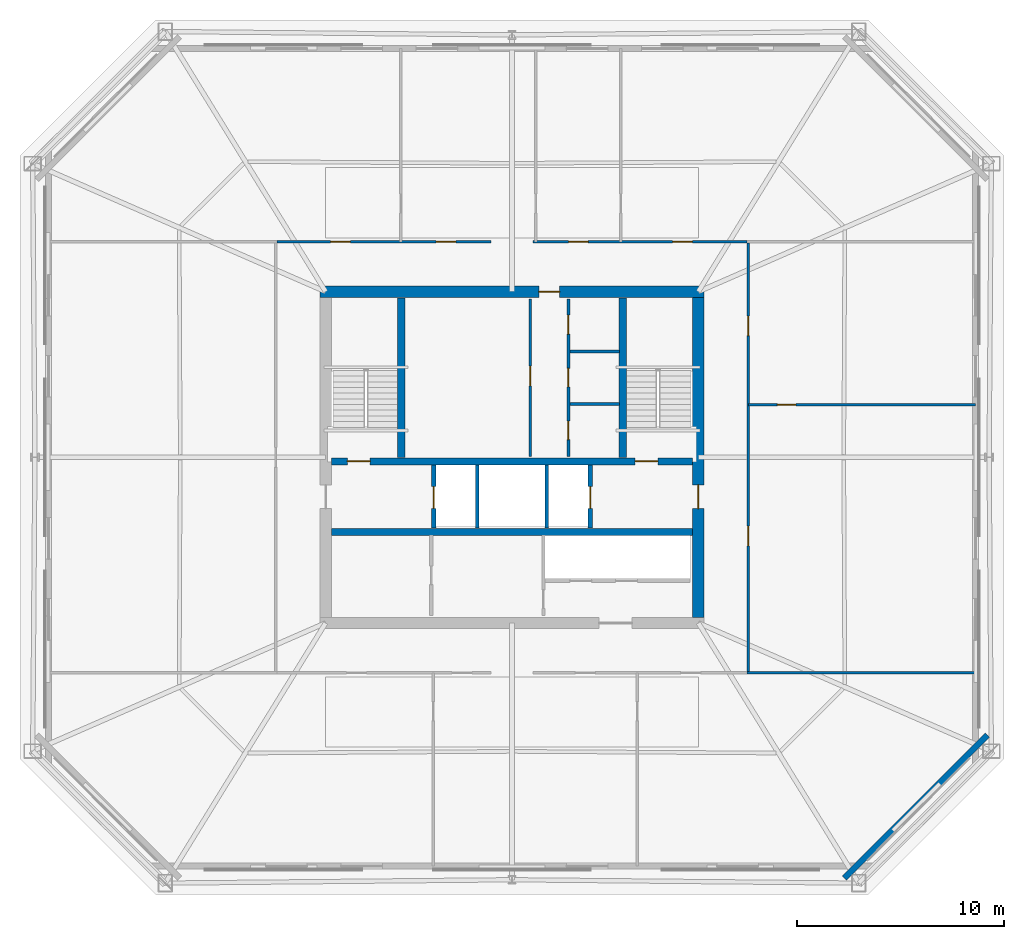
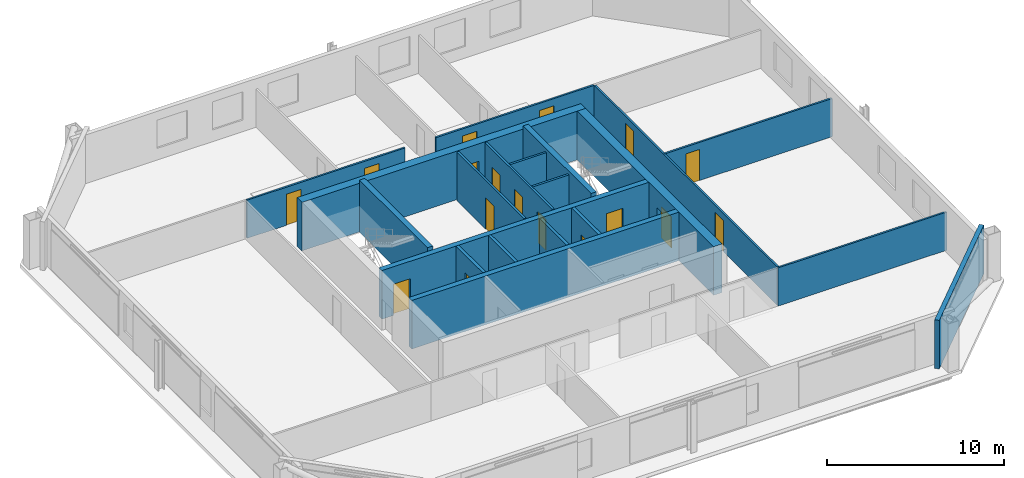
# One storey, part 3 of 6: 20 walls, 17 doors, 17 openings.
"""IFC4 building model written with IfcOpenShell, lengths in metres."""

import ifcopenshell
import ifcopenshell.guid

model = None  # the IFC model being written
_history = None  # IfcOwnerHistory: only IFC2X3 demands one
_inside = {}  # id of a spatial element -> (the spatial element, [elements in it])
_under = {}  # id of a project, library or spatial element -> (it, [spatial elements below it])
_declared = {}  # id of a project -> (the project, [libraries it declares])
_typed = {}  # id of a type object -> (the type object, [elements of that type])
_made_of = {}  # id of a material, layer set ... -> (it, [elements and type objects made of it])


def new_model(schema):
    """Start an empty IFC model of exactly this schema.

    Asked for "IFC4X3", IfcOpenShell would pick the latest addendum, in which some entities
    have other attributes; the version numbers below select the first issue.
    IFC2X3 requires an IfcOwnerHistory on every rooted entity: one is made here for all.
    """
    global model, _history
    if schema == "IFC4X3":
        model = ifcopenshell.file(schema_version=(4, 3, 0, 0))
    else:
        model = ifcopenshell.file(schema=schema)
    _inside.clear()
    _under.clear()
    _declared.clear()
    _typed.clear()
    _made_of.clear()
    _history = None
    if model.schema == "IFC2X3":
        org = make("IfcOrganization", Name="unknown")
        user = make(
            "IfcPersonAndOrganization",
            ThePerson=make("IfcPerson", FamilyName="unknown"),
            TheOrganization=org,
        )
        app = make(
            "IfcApplication",
            ApplicationDeveloper=org,
            Version="unknown",
            ApplicationFullName="unknown",
            ApplicationIdentifier="unknown",
        )
        _history = make(
            "IfcOwnerHistory",
            OwningUser=user,
            OwningApplication=app,
            ChangeAction="ADDED",
            CreationDate=0,
        )
    return model


def make(cls, **values):
    """One entity of the class cls with the attributes given. An attribute that is None is left unset."""
    return model.create_entity(
        cls, **{name: value for name, value in values.items() if value is not None}
    )


def rooted(cls, **values):
    """An entity with a GlobalId (a new one), such as an element, a storey or a relation."""
    return make(cls, GlobalId=ifcopenshell.guid.new(), OwnerHistory=_history, **values)


def si_unit(unit_type, name, prefix=None):
    """IfcSIUnit, for example si_unit("LENGTHUNIT", "METRE", prefix="MILLI")."""
    return make("IfcSIUnit", UnitType=unit_type, Prefix=prefix, Name=name)


def assignment(units):
    """IfcUnitAssignment: the units of a project."""
    return None if units is None else make("IfcUnitAssignment", Units=units)


def point(xyz):
    """IfcCartesianPoint."""
    return None if xyz is None else make("IfcCartesianPoint", Coordinates=xyz)


def direction(xyz):
    """IfcDirection."""
    return None if xyz is None else make("IfcDirection", DirectionRatios=xyz)


def frame(location, z_axis=None, x_axis=None):
    """IfcAxis2Placement3D, a coordinate frame: its origin and axes. An axis left out is left unset."""
    return make(
        "IfcAxis2Placement3D",
        Location=point(location),
        Axis=direction(z_axis),
        RefDirection=direction(x_axis),
    )


def frame_2d(location, x_axis=None):
    """IfcAxis2Placement2D, a coordinate frame in the plane: its origin and x axis."""
    return make(
        "IfcAxis2Placement2D", Location=point(location), RefDirection=direction(x_axis)
    )


def origin():
    """The frame at (0, 0, 0) with its axes left unset."""
    return frame((0.0, 0.0, 0.0))


def place(relative_to, where):
    """IfcLocalPlacement: puts the frame where relative to a parent placement (None: the world)."""
    return make(
        "IfcLocalPlacement", PlacementRelTo=relative_to, RelativePlacement=where
    )


def context(
    kind, dimensions, precision=None, world=None, true_north=None, identifier=None
):
    """IfcGeometricRepresentationContext, for example the 3D "Model" context."""
    return make(
        "IfcGeometricRepresentationContext",
        ContextIdentifier=identifier,
        ContextType=kind,
        CoordinateSpaceDimension=dimensions,
        Precision=precision,
        WorldCoordinateSystem=world,
        TrueNorth=true_north,
    )


def subcontext(parent, identifier, kind, view, scale=None):
    """IfcGeometricRepresentationSubContext, for example "Body" below "Model"."""
    return make(
        "IfcGeometricRepresentationSubContext",
        ContextIdentifier=identifier,
        ContextType=kind,
        ParentContext=parent,
        TargetScale=scale,
        TargetView=view,
    )


def project(units=None, contexts=None):
    """IfcProject with its units and contexts."""
    return rooted(
        "IfcProject",
        Name="project",
        RepresentationContexts=contexts,
        UnitsInContext=assignment(units),
    )


def spatial(cls, under=None, at=None, **own):
    """A site, building, storey or space (cls), placed at a placement, below another one or the project."""
    s = rooted(cls, ObjectPlacement=at, **own)
    if under is not None:
        _under.setdefault(under.id(), (under, []))[1].append(s)
    return s


def profile(cls, at=None, kind="AREA", **sizes):
    """A parametric profile (cls). Its sizes go by their IFC names, for example OverallWidth=200.0."""
    return make(cls, ProfileType=kind, Position=at, **sizes)


def rectangle(**sizes):
    """IfcRectangleProfileDef."""
    return profile("IfcRectangleProfileDef", **sizes)


def extrude(swept, where, along, depth):
    """IfcExtrudedAreaSolid: the profile swept, set in the frame where, extruded along a direction by depth."""
    return make(
        "IfcExtrudedAreaSolid",
        SweptArea=swept,
        Position=where,
        ExtrudedDirection=direction(along),
        Depth=depth,
    )


def shape(context_of_items, identifier, shape_type, items):
    """IfcShapeRepresentation: the items that make up one representation, for example the "Body"."""
    return make(
        "IfcShapeRepresentation",
        ContextOfItems=context_of_items,
        RepresentationIdentifier=identifier,
        RepresentationType=shape_type,
        Items=items,
    )


def material(Name=None, Category=None):
    """IfcMaterial."""
    return make("IfcMaterial", Name=Name, Category=Category)


def layer(
    of_material, thickness, ventilated=None, Name=None, Category=None, Priority=None
):
    """IfcMaterialLayer: one layer of a wall or slab, of a material (None: an air gap)."""
    return make(
        "IfcMaterialLayer",
        Material=of_material,
        LayerThickness=thickness,
        IsVentilated=ventilated,
        Name=Name,
        Category=Category,
        Priority=Priority,
    )


def layer_set(layers, Name=None):
    """IfcMaterialLayerSet."""
    return make("IfcMaterialLayerSet", MaterialLayers=layers, LayerSetName=Name)


def made_of(thing, what):
    """Note that an element or type object is made of a material, layer set ...; save() writes the relation."""
    if what is not None:
        _made_of.setdefault(what.id(), (what, []))[1].append(thing)
    return thing


def type_object(cls, material=None, **own):
    """A type object (cls), such as IfcWallType, which elements share."""
    return made_of(rooted(cls, **own), material)


def element(
    cls,
    number,
    at=None,
    inside=None,
    cuts=None,
    type_object=None,
    material=None,
    context=None,
    identifier="Body",
    shape_type=None,
    held_by="IfcProductDefinitionShape",
    body=None,
    shapes=None,
    **own,
):
    """One element of the class cls, such as IfcWall. Its Tag is "e" and its number.

    at: its placement. inside: the storey or other place that contains it. cuts: it is an
    opening in that element (IfcRelVoidsElement). A single representation is given by context,
    identifier, shape_type and body (its items); several are given by shapes. held_by: the class
    of the entity that holds the representations. save() writes the other relations.
    """
    e = rooted(cls, Tag="e%d" % number, ObjectPlacement=at, **own)
    if body is not None:
        shapes = [shape(context, identifier, shape_type, body)]
    if shapes is not None:
        e.Representation = make(held_by, Representations=shapes)
    if inside is not None:
        _inside.setdefault(inside.id(), (inside, []))[1].append(e)
    if cuts is not None:
        rooted(
            "IfcRelVoidsElement", RelatingBuildingElement=cuts, RelatedOpeningElement=e
        )
    if type_object is not None:
        _typed.setdefault(type_object.id(), (type_object, []))[1].append(e)
    return made_of(e, material)


def fill(opening, filler):
    """IfcRelFillsElement: the door or window that sits in an opening."""
    return rooted(
        "IfcRelFillsElement",
        RelatingOpeningElement=opening,
        RelatedBuildingElement=filler,
    )


def aggregate(whole, parts):
    """IfcRelAggregates: a whole, such as a stair, and the parts it consists of."""
    return rooted("IfcRelAggregates", RelatingObject=whole, RelatedObjects=parts)


def save(model, path):
    """Write the relations noted so far, then the file.

    IfcRelAggregates (storeys below a building ...), IfcRelContainedInSpatialStructure (elements
    in a storey), IfcRelDefinesByType, IfcRelAssociatesMaterial and IfcRelDeclares: one each for
    every whole, place, type object, material and project.
    """
    for whole, parts in _under.values():
        aggregate(whole, parts)
    for where, things in _inside.values():
        rooted(
            "IfcRelContainedInSpatialStructure",
            RelatedElements=things,
            RelatingStructure=where,
        )
    for kind, things in _typed.values():
        rooted("IfcRelDefinesByType", RelatedObjects=things, RelatingType=kind)
    for what, things in _made_of.values():
        rooted("IfcRelAssociatesMaterial", RelatedObjects=things, RelatingMaterial=what)
    for by, libraries in _declared.values():
        rooted("IfcRelDeclares", RelatingContext=by, RelatedDefinitions=libraries)
    model.write(path)


model = new_model("IFC4")

# Units and contexts
model_context = context("Model", 3, precision=1e-05, world=origin(), true_north=direction((0.0, 1.0)))
body_context = subcontext(model_context, "Body", "Model", "MODEL_VIEW")
ifc_project = project(units=[si_unit("LENGTHUNIT", "METRE"), si_unit("AREAUNIT", "SQUARE_METRE"), si_unit("VOLUMEUNIT", "CUBIC_METRE"), si_unit("PLANEANGLEUNIT", "RADIAN"), si_unit("MASSUNIT", "GRAM", prefix="KILO")], contexts=[model_context])

# Site, building, storey
site_placement = place(None, origin())
site = spatial("IfcSite", under=ifc_project, at=site_placement, CompositionType="ELEMENT")
building_placement = place(site_placement, origin())
building = spatial("IfcBuilding", under=site, at=building_placement, Name="Caelvoria Tower", CompositionType="ELEMENT")
storey_placement = place(building_placement, frame((0.0, 0.0, 180.60009765625)))
storey = spatial("IfcBuildingStorey", under=building, at=storey_placement, Name="L47", CompositionType="ELEMENT", Elevation=180.60009765625)

# Wall, openings, doors
ifc_material_1 = material(Name="Concrete C50/60", Category="concrete")
ifc_layer_1 = layer(ifc_material_1, 0.35009765625, Name="Concrete C50/60")
ifc_layer_set_1 = layer_set([ifc_layer_1], Name="Core Internal Shear Wall 350 - Concrete C50/60")
wall_type_1 = type_object("IfcWallType", Name="Core Internal Shear Wall 350", PredefinedType="SHEAR", material=ifc_layer_set_1)
wall_1_placement = place(storey_placement, frame((37.27490234375, 31.800048828125, 0.0), z_axis=(0.0, 0.0, 1.0), x_axis=(1.0, 0.0, 0.0)))
wall_1 = element("IfcWall", 1, at=wall_1_placement, inside=storey, type_object=wall_type_1, Name="Core Shear Wall L47 M1", PredefinedType="SHEAR", context=body_context, shape_type="SweptSolid", body=[
    extrude(rectangle(XDim=17.4501953125, YDim=0.35009765625, at=frame_2d((8.72509765625, 0.0))), origin(), (0.0, 0.0, 1.0), 3.35986328125),
])
opening_1_placement = place(wall_1_placement, frame((0.77490234375, 0.0, 0.0)))
opening_1 = element("IfcOpeningElement", 2, at=opening_1_placement, cuts=wall_1, Name="Opening ID-01", PredefinedType="OPENING", context=body_context, shape_type="SweptSolid", body=[
    extrude(rectangle(XDim=1.10009765625, YDim=2.14990234375, at=frame_2d((0.550048828125, 1.074951171875))), frame((0.0, 0.18505859375, 0.0), z_axis=(0.0, -1.0, 0.0), x_axis=(1.0, 0.0, 0.0)), (0.0, 0.0, 1.0), 0.3701171875),
])
opening_2_placement = place(wall_1_placement, frame((14.675048828125, 0.0, 0.0)))
opening_2 = element("IfcOpeningElement", 3, at=opening_2_placement, cuts=wall_1, Name="Opening ID-01", PredefinedType="OPENING", context=body_context, shape_type="SweptSolid", body=[
    extrude(rectangle(XDim=1.10009765625, YDim=2.14990234375, at=frame_2d((0.550048828125, 1.074951171875))), frame((0.0, 0.18505859375, 0.0), z_axis=(0.0, -1.0, 0.0), x_axis=(1.0, 0.0, 0.0)), (0.0, 0.0, 1.0), 0.3701171875),
])
ifc_material_2 = material(Name="Painted Hollow Steel Fire Door", Category="steel")
door_type_1 = type_object("IfcDoorType", Name="Fire Door FD90S 1100x2150", OperationType="NOTDEFINED", PredefinedType="DOOR", material=ifc_material_2)
door_1_placement = place(opening_1_placement, origin())
door_1 = element("IfcDoor", 4, at=door_1_placement, inside=storey, type_object=door_type_1, Name="Core Door DR-L47-ST1", OperationType="SINGLE_SWING_LEFT", OverallHeight=2.14990234375, OverallWidth=1.10009765625, PredefinedType="DOOR", context=body_context, shape_type="SweptSolid", body=[
    extrude(rectangle(XDim=1.10009765625, YDim=2.14990234375, at=frame_2d((0.550048828125, 1.074951171875))), frame((0.0, 0.02490234375, 0.0), z_axis=(0.0, -1.0, 0.0), x_axis=(1.0, 0.0, 0.0)), (0.0, 0.0, 1.0), 0.050048828125),
])
fill(opening_1, door_1)
door_2_placement = place(opening_2_placement, origin())
door_2 = element("IfcDoor", 5, at=door_2_placement, inside=storey, type_object=door_type_1, Name="Core Door DR-L47-ST2", OperationType="SINGLE_SWING_RIGHT", OverallHeight=2.14990234375, OverallWidth=1.10009765625, PredefinedType="DOOR", context=body_context, shape_type="SweptSolid", body=[
    extrude(rectangle(XDim=1.10009765625, YDim=2.14990234375, at=frame_2d((0.550048828125, 1.074951171875))), frame((0.0, 0.02490234375, 0.0), z_axis=(0.0, -1.0, 0.0), x_axis=(1.0, 0.0, 0.0)), (0.0, 0.0, 1.0), 0.050048828125),
])
fill(opening_2, door_2)

# Walls
wall_2_placement = place(storey_placement, frame((37.27490234375, 28.39990234375, 0.0), z_axis=(0.0, 0.0, 1.0), x_axis=(1.0, 0.0, 0.0)))
element("IfcWall", 6, at=wall_2_placement, inside=storey, type_object=wall_type_1, Name="Core Shear Wall L47 M2", PredefinedType="SHEAR", context=body_context, shape_type="SweptSolid", body=[
    extrude(rectangle(XDim=17.4501953125, YDim=0.35009765625, at=frame_2d((8.72509765625, 0.0))), origin(), (0.0, 0.0, 1.0), 3.35986328125),
])
for number, where, z_axis, x_axis, name in (
    (7, (40.64990234375, 32.0, 0.0), (0.0, 0.0, 1.0), (0.0, 1.0, 0.0), "Interior Partition IW-L47-ST1E"),
    (8, (51.35009765625, 32.0, 0.0), (0.0, 0.0, 1.0), (0.0, 1.0, 0.0), "Interior Partition IW-L47-ST2W"),
):
    element("IfcWall", number, at=place(storey_placement, frame(where, z_axis=z_axis, x_axis=x_axis)), inside=storey, type_object=wall_type_1, Name=name, PredefinedType="SHEAR", context=body_context, shape_type="SweptSolid", body=[
        extrude(rectangle(XDim=7.699951171875, YDim=0.35009765625, at=frame_2d((3.85009765625, 0.0))), origin(), (0.0, 0.0, 1.0), 3.599853515625),
    ])

# Wall, opening, door
ifc_material_3 = material(Name="Moisture-Resistant Gypsum on Steel Stud", Category="steel")
ifc_layer_2 = layer(ifc_material_3, 0.139892578125, Name="Moisture-Resistant Gypsum on Steel Stud")
ifc_layer_set_2 = layer_set([ifc_layer_2], Name="Core Sanitary Acoustic Partition Wall 140 - Moisture-Resistant Gypsum on Steel Stud")
wall_type_2 = type_object("IfcWallType", Name="Core Sanitary Acoustic Partition Wall 140", PredefinedType="PARTITIONING", material=ifc_layer_set_2)
wall_3_placement = place(storey_placement, frame((46.8798828125, 32.050048828125, 0.0), z_axis=(0.0, 0.0, 1.0), x_axis=(0.0, 1.0, 0.0)))
wall_3 = element("IfcWall", 9, at=wall_3_placement, inside=storey, type_object=wall_type_2, Name="Interior Partition IW-L47-C2L", PredefinedType="PARTITIONING", context=body_context, shape_type="SweptSolid", body=[
    extrude(rectangle(XDim=7.599853515625, YDim=0.139892578125, at=frame_2d((3.7998046875, 0.0))), origin(), (0.0, 0.0, 1.0), 3.35986328125),
])
opening_3_placement = place(wall_3_placement, frame((3.39990234375, 0.0, 0.0)))
opening_3 = element("IfcOpeningElement", 10, at=opening_3_placement, cuts=wall_3, Name="Opening ID-05", PredefinedType="OPENING", context=body_context, shape_type="SweptSolid", body=[
    extrude(rectangle(XDim=0.949951171875, YDim=2.14990234375, at=frame_2d((0.47509765625, 1.074951171875))), frame((0.0, 0.079833984375, 0.0), z_axis=(0.0, -1.0, 0.0), x_axis=(1.0, 0.0, 0.0)), (0.0, 0.0, 1.0), 0.159912109375),
])
ifc_material_4 = material(Name="Engineered Andean Oak Veneer Door", Category="wood")
door_type_2 = type_object("IfcDoorType", Name="Interior Timber Door 950x2150", OperationType="NOTDEFINED", PredefinedType="DOOR", material=ifc_material_4)
door_3_placement = place(opening_3_placement, origin())
door_3 = element("IfcDoor", 11, at=door_3_placement, inside=storey, type_object=door_type_2, Name="Interior Door DR-L47-C2W", OperationType="SINGLE_SWING_LEFT", OverallHeight=2.14990234375, OverallWidth=0.949951171875, PredefinedType="DOOR", context=body_context, shape_type="SweptSolid", body=[
    extrude(rectangle(XDim=0.949951171875, YDim=2.14990234375, at=frame_2d((0.47509765625, 1.074951171875))), frame((0.0, 0.02490234375, 0.0), z_axis=(0.0, -1.0, 0.0), x_axis=(1.0, 0.0, 0.0)), (0.0, 0.0, 1.0), 0.050048828125),
])
fill(opening_3, door_3)

# Wall, openings, doors
wall_4_placement = place(storey_placement, frame((48.719970703125, 32.050048828125, 0.0), z_axis=(0.0, 0.0, 1.0), x_axis=(0.0, 1.0, 0.0)))
wall_4 = element("IfcWall", 12, at=wall_4_placement, inside=storey, type_object=wall_type_2, Name="Interior Partition IW-L47-C2R", PredefinedType="PARTITIONING", context=body_context, shape_type="SweptSolid", body=[
    extrude(rectangle(XDim=7.599853515625, YDim=0.139892578125, at=frame_2d((3.7998046875, 0.0))), origin(), (0.0, 0.0, 1.0), 3.35986328125),
])
opening_4_placement = place(wall_4_placement, frame((0.800048828125, 0.0, 0.0)))
opening_4 = element("IfcOpeningElement", 13, at=opening_4_placement, cuts=wall_4, Name="Opening ID-04", PredefinedType="OPENING", context=body_context, shape_type="SweptSolid", body=[
    extrude(rectangle(XDim=0.89990234375, YDim=2.14990234375, at=frame_2d((0.449951171875, 1.074951171875))), frame((0.0, 0.079833984375, 0.0), z_axis=(0.0, -1.0, 0.0), x_axis=(1.0, 0.0, 0.0)), (0.0, 0.0, 1.0), 0.159912109375),
])
opening_5_placement = place(wall_4_placement, frame((3.35009765625, 0.0, 0.0)))
opening_5 = element("IfcOpeningElement", 14, at=opening_5_placement, cuts=wall_4, Name="Opening ID-06", PredefinedType="OPENING", context=body_context, shape_type="SweptSolid", body=[
    extrude(rectangle(XDim=0.89990234375, YDim=2.14990234375, at=frame_2d((0.449951171875, 1.074951171875))), frame((0.0, 0.079833984375, 0.0), z_axis=(0.0, -1.0, 0.0), x_axis=(1.0, 0.0, 0.0)), (0.0, 0.0, 1.0), 0.159912109375),
])
opening_6_placement = place(wall_4_placement, frame((5.89990234375, 0.0, 0.0)))
opening_6 = element("IfcOpeningElement", 15, at=opening_6_placement, cuts=wall_4, Name="Opening ID-07", PredefinedType="OPENING", context=body_context, shape_type="SweptSolid", body=[
    extrude(rectangle(XDim=0.919921875, YDim=2.14990234375, at=frame_2d((0.4599609375, 1.074951171875))), frame((0.0, 0.079833984375, 0.0), z_axis=(0.0, -1.0, 0.0), x_axis=(1.0, 0.0, 0.0)), (0.0, 0.0, 1.0), 0.159912109375),
])
ifc_material_5 = material(Name="Engineered Andean Oak Accessible Door", Category="wood")
door_type_3 = type_object("IfcDoorType", Name="Accessible WC Door 950x2150", OperationType="NOTDEFINED", PredefinedType="DOOR", material=ifc_material_5)
door_4_placement = place(opening_6_placement, origin())
door_4 = element("IfcDoor", 16, at=door_4_placement, inside=storey, type_object=door_type_3, Name="Interior Door DR-L47-C2E3", OperationType="SINGLE_SWING_RIGHT", OverallHeight=2.14990234375, OverallWidth=0.919921875, PredefinedType="DOOR", context=body_context, shape_type="SweptSolid", body=[
    extrude(rectangle(XDim=0.919921875, YDim=2.14990234375, at=frame_2d((0.4599609375, 1.074951171875))), frame((0.0, 0.02490234375, 0.0), z_axis=(0.0, -1.0, 0.0), x_axis=(1.0, 0.0, 0.0)), (0.0, 0.0, 1.0), 0.050048828125),
])
fill(opening_6, door_4)
ifc_material_6 = material(Name="Acoustic Timber Fire Door", Category="wood")
door_type_4 = type_object("IfcDoorType", Name="Fire Door FD30S 900x2150", OperationType="NOTDEFINED", PredefinedType="DOOR", material=ifc_material_6)
door_5_placement = place(opening_4_placement, origin())
door_5 = element("IfcDoor", 17, at=door_5_placement, inside=storey, type_object=door_type_4, Name="Interior Door DR-L47-C2E1", OperationType="SINGLE_SWING_RIGHT", OverallHeight=2.14990234375, OverallWidth=0.89990234375, PredefinedType="DOOR", context=body_context, shape_type="SweptSolid", body=[
    extrude(rectangle(XDim=0.89990234375, YDim=2.14990234375, at=frame_2d((0.449951171875, 1.074951171875))), frame((0.0, 0.02490234375, 0.0), z_axis=(0.0, -1.0, 0.0), x_axis=(1.0, 0.0, 0.0)), (0.0, 0.0, 1.0), 0.050048828125),
])
fill(opening_4, door_5)
door_type_5 = type_object("IfcDoorType", Name="Interior Timber Door 900x2150", OperationType="NOTDEFINED", PredefinedType="DOOR", material=ifc_material_4)
door_6_placement = place(opening_5_placement, origin())
door_6 = element("IfcDoor", 18, at=door_6_placement, inside=storey, type_object=door_type_5, Name="Interior Door DR-L47-C2E2", OperationType="SINGLE_SWING_LEFT", OverallHeight=2.14990234375, OverallWidth=0.89990234375, PredefinedType="DOOR", context=body_context, shape_type="SweptSolid", body=[
    extrude(rectangle(XDim=0.89990234375, YDim=2.14990234375, at=frame_2d((0.449951171875, 1.074951171875))), frame((0.0, 0.02490234375, 0.0), z_axis=(0.0, -1.0, 0.0), x_axis=(1.0, 0.0, 0.0)), (0.0, 0.0, 1.0), 0.050048828125),
])
fill(opening_5, door_6)

# Walls
for number, where, z_axis, x_axis, name in (
    (19, (48.800048828125, 34.580078125, 0.0), (0.0, 0.0, 1.0), (1.0, 0.0, 0.0), "Interior Partition IW-L47-C2H1"),
    (20, (48.800048828125, 37.1201171875, 0.0), (0.0, 0.0, 1.0), (1.0, 0.0, 0.0), "Interior Partition IW-L47-C2H2"),
):
    element("IfcWall", number, at=place(storey_placement, frame(where, z_axis=z_axis, x_axis=x_axis)), inside=storey, type_object=wall_type_2, Name=name, PredefinedType="PARTITIONING", context=body_context, shape_type="SweptSolid", body=[
        extrude(rectangle(XDim=2.39990234375, YDim=0.139892578125, at=frame_2d((1.199951171875, 0.0))), origin(), (0.0, 0.0, 1.0), 3.35986328125),
    ])
ifc_material_7 = material(Name="Precast Concrete C40/50 with Bronze Cladding", Category="concrete")
ifc_layer_3 = layer(ifc_material_7, 0.280029296875, Name="Precast Concrete C40/50 with Bronze Cladding")
ifc_layer_set_3 = layer_set([ifc_layer_3], Name="Exterior Precast Concrete C40/50 Bronze-Clad Facade Wall 280 - Precast Concrete C40/50 with Bronze Cladding")
wall_type_3 = type_object("IfcWallType", Name="Exterior Precast Concrete C40/50 Bronze-Clad Facade Wall 280", PredefinedType="STANDARD", material=ifc_layer_set_3)
wall_5_placement = place(storey_placement, frame((62.054443359375, 11.68603515625, 0.0), z_axis=(0.0, 0.0, 1.0), x_axis=(0.707106781187, 0.707106781187, 0.0)))
element("IfcWall", 21, at=wall_5_placement, inside=storey, type_object=wall_type_3, Name="Exterior Facade Wall L47-E1", PredefinedType="STANDARD", context=body_context, shape_type="SweptSolid", body=[
    extrude(rectangle(XDim=9.75732421875, YDim=0.280029296875, at=frame_2d((4.878662109375, 0.0))), origin(), (0.0, 0.0, 1.0), 3.35986328125),
])
ifc_material_8 = material(Name="Concrete Block and Fireboard Assembly", Category="concrete")
ifc_layer_4 = layer(ifc_material_8, 0.179931640625, Name="Concrete Block and Fireboard Assembly")
ifc_layer_set_4 = layer_set([ifc_layer_4], Name="Fire-Rated Hoistway Partition Wall 180 - Concrete Block and Fireboard Assembly")
wall_type_4 = type_object("IfcWallType", Name="Fire-Rated Hoistway Partition Wall 180", PredefinedType="PARTITIONING", material=ifc_layer_set_4)
for number, where, z_axis, x_axis, name in (
    (22, (44.320068359375, 28.580078125, 0.0), (0.0, 0.0, 1.0), (0.0, 1.0, 0.0), "Interior Partition IW-L47-SV1W"),
    (23, (47.679931640625, 28.580078125, 0.0), (0.0, 0.0, 1.0), (0.0, 1.0, 0.0), "Interior Partition IW-L47-SV1E"),
):
    element("IfcWall", number, at=place(storey_placement, frame(where, z_axis=z_axis, x_axis=x_axis)), inside=storey, type_object=wall_type_4, Name=name, PredefinedType="PARTITIONING", context=body_context, shape_type="SweptSolid", body=[
        extrude(rectangle(XDim=3.0400390625, YDim=0.179931640625, at=frame_2d((1.52001953125, 0.0))), origin(), (0.0, 0.0, 1.0), 3.35986328125),
    ])

# Wall, opening, door
ifc_layer_5 = layer(ifc_material_8, 0.199951171875, Name="Concrete Block and Fireboard Assembly")
ifc_layer_set_5 = layer_set([ifc_layer_5], Name="Fire-Rated Shaft and Core Partition Wall 200 - Concrete Block and Fireboard Assembly")
wall_type_5 = type_object("IfcWallType", Name="Fire-Rated Shaft and Core Partition Wall 200", PredefinedType="PARTITIONING", material=ifc_layer_set_5)
wall_6_placement = place(storey_placement, frame((42.219970703125, 28.580078125, 0.0), z_axis=(0.0, 0.0, 1.0), x_axis=(0.0, 1.0, 0.0)))
wall_6 = element("IfcWall", 24, at=wall_6_placement, inside=storey, type_object=wall_type_5, Name="Interior Partition IW-L47-LF1W", PredefinedType="PARTITIONING", context=body_context, shape_type="SweptSolid", body=[
    extrude(rectangle(XDim=3.0400390625, YDim=0.199951171875, at=frame_2d((1.52001953125, 0.0))), origin(), (0.0, 0.0, 1.0), 3.35986328125),
])
opening_7_placement = place(wall_6_placement, frame((0.949951171875, 0.0, 0.0)))
opening_7 = element("IfcOpeningElement", 25, at=opening_7_placement, cuts=wall_6, Name="Opening LD-01", PredefinedType="OPENING", context=body_context, shape_type="SweptSolid", body=[
    extrude(rectangle(XDim=1.050048828125, YDim=2.14990234375, at=frame_2d((0.52490234375, 1.074951171875))), frame((0.0, 0.10986328125, 0.0), z_axis=(0.0, -1.0, 0.0), x_axis=(1.0, 0.0, 0.0)), (0.0, 0.0, 1.0), 0.219970703125),
])
ifc_material_9 = material(Name="Brushed Bronze Stainless Sliding Landing Door", Category="aluminium")
door_type_6 = type_object("IfcDoorType", Name="Lift Landing Sliding Door 1100x2150", OperationType="NOTDEFINED", PredefinedType="DOOR", material=ifc_material_9)
door_7_placement = place(opening_7_placement, origin())
door_7 = element("IfcDoor", 26, at=door_7_placement, inside=storey, type_object=door_type_6, Name="Interior Door LD-L47-LF1", OperationType="SLIDING_TO_LEFT", OverallHeight=2.14990234375, OverallWidth=1.050048828125, PredefinedType="DOOR", context=body_context, shape_type="SweptSolid", body=[
    extrude(rectangle(XDim=1.050048828125, YDim=2.14990234375, at=frame_2d((0.52490234375, 1.074951171875))), frame((0.0, 0.02490234375, 0.0), z_axis=(0.0, -1.0, 0.0), x_axis=(1.0, 0.0, 0.0)), (0.0, 0.0, 1.0), 0.050048828125),
])
fill(opening_7, door_7)

wall_7_placement = place(storey_placement, frame((49.780029296875, 28.580078125, 0.0), z_axis=(0.0, 0.0, 1.0), x_axis=(0.0, 1.0, 0.0)))
wall_7 = element("IfcWall", 27, at=wall_7_placement, inside=storey, type_object=wall_type_5, Name="Interior Partition IW-L47-LF2E", PredefinedType="PARTITIONING", context=body_context, shape_type="SweptSolid", body=[
    extrude(rectangle(XDim=3.0400390625, YDim=0.199951171875, at=frame_2d((1.52001953125, 0.0))), origin(), (0.0, 0.0, 1.0), 3.35986328125),
])
opening_8_placement = place(wall_7_placement, frame((0.949951171875, 0.0, 0.0)))
opening_8 = element("IfcOpeningElement", 28, at=opening_8_placement, cuts=wall_7, Name="Opening LD-01", PredefinedType="OPENING", context=body_context, shape_type="SweptSolid", body=[
    extrude(rectangle(XDim=1.050048828125, YDim=2.14990234375, at=frame_2d((0.52490234375, 1.074951171875))), frame((0.0, 0.10986328125, 0.0), z_axis=(0.0, -1.0, 0.0), x_axis=(1.0, 0.0, 0.0)), (0.0, 0.0, 1.0), 0.219970703125),
])
door_8_placement = place(opening_8_placement, origin())
door_8 = element("IfcDoor", 29, at=door_8_placement, inside=storey, type_object=door_type_6, Name="Interior Door LD-L47-LF2", OperationType="SLIDING_TO_RIGHT", OverallHeight=2.14990234375, OverallWidth=1.050048828125, PredefinedType="DOOR", context=body_context, shape_type="SweptSolid", body=[
    extrude(rectangle(XDim=1.050048828125, YDim=2.14990234375, at=frame_2d((0.52490234375, 1.074951171875))), frame((0.0, 0.02490234375, 0.0), z_axis=(0.0, -1.0, 0.0), x_axis=(1.0, 0.0, 0.0)), (0.0, 0.0, 1.0), 0.050048828125),
])
fill(opening_8, door_8)

ifc_material_10 = material(Name="Concrete C55/67", Category="concrete")
ifc_layer_6 = layer(ifc_material_10, 0.550048828125, Name="Concrete C55/67")
ifc_layer_set_6 = layer_set([ifc_layer_6], Name="Mid Core Shear Wall 550 - Concrete C55/67")
wall_type_6 = type_object("IfcWallType", Name="Mid Core Shear Wall 550", PredefinedType="SHEAR", material=ifc_layer_set_6)
wall_8_placement = place(storey_placement, frame((36.72509765625, 40.0, 0.0), z_axis=(0.0, 0.0, 1.0), x_axis=(1.0, 0.0, 0.0)))
wall_8 = element("IfcWall", 30, at=wall_8_placement, inside=storey, type_object=wall_type_6, Name="Core Shear Wall L47 N", PredefinedType="SHEAR", context=body_context, shape_type="SweptSolid", body=[
    extrude(rectangle(XDim=18.5498046875, YDim=0.550048828125, at=frame_2d((9.27490234375, 0.0))), origin(), (0.0, 0.0, 1.0), 3.35986328125),
])
opening_9_placement = place(wall_8_placement, frame((10.574951171875, 0.0, 0.0)))
opening_9 = element("IfcOpeningElement", 31, at=opening_9_placement, cuts=wall_8, Name="Opening ID-03", PredefinedType="OPENING", context=body_context, shape_type="SweptSolid", body=[
    extrude(rectangle(XDim=1.0, YDim=2.14990234375, at=frame_2d((0.5, 1.074951171875))), frame((0.0, 0.284912109375, 0.0), z_axis=(0.0, -1.0, 0.0), x_axis=(1.0, 0.0, 0.0)), (0.0, 0.0, 1.0), 0.570068359375),
])
door_type_7 = type_object("IfcDoorType", Name="Fire Door FD60S 1000x2150", OperationType="NOTDEFINED", PredefinedType="DOOR", material=ifc_material_2)
door_9_placement = place(opening_9_placement, origin())
door_9 = element("IfcDoor", 32, at=door_9_placement, inside=storey, type_object=door_type_7, Name="Core Door DR-L47-WC-MAIN", OperationType="SINGLE_SWING_RIGHT", OverallHeight=2.14990234375, OverallWidth=1.0, PredefinedType="DOOR", context=body_context, shape_type="SweptSolid", body=[
    extrude(rectangle(XDim=1.0, YDim=2.14990234375, at=frame_2d((0.5, 1.074951171875))), frame((0.0, 0.02490234375, 0.0), z_axis=(0.0, -1.0, 0.0), x_axis=(1.0, 0.0, 0.0)), (0.0, 0.0, 1.0), 0.050048828125),
])
fill(opening_9, door_9)

wall_9_placement = place(storey_placement, frame((55.0, 24.27490234375, 0.0), z_axis=(0.0, 0.0, 1.0), x_axis=(0.0, 1.0, 0.0)))
wall_9 = element("IfcWall", 33, at=wall_9_placement, inside=storey, type_object=wall_type_6, Name="Core Shear Wall L47 E", PredefinedType="SHEAR", context=body_context, shape_type="SweptSolid", body=[
    extrude(rectangle(XDim=15.4501953125, YDim=0.550048828125, at=frame_2d((7.72509765625, 0.0))), origin(), (0.0, 0.0, 1.0), 3.35986328125),
])
opening_10_placement = place(wall_9_placement, frame((5.25, 0.0, 0.0)))
opening_10 = element("IfcOpeningElement", 34, at=opening_10_placement, cuts=wall_9, Name="Opening ID-02", PredefinedType="OPENING", context=body_context, shape_type="SweptSolid", body=[
    extrude(rectangle(XDim=1.14990234375, YDim=2.14990234375, at=frame_2d((0.574951171875, 1.074951171875))), frame((0.0, 0.284912109375, 0.0), z_axis=(0.0, -1.0, 0.0), x_axis=(1.0, 0.0, 0.0)), (0.0, 0.0, 1.0), 0.570068359375),
])
door_type_8 = type_object("IfcDoorType", Name="Fire Door FD60S 1150x2150", OperationType="NOTDEFINED", PredefinedType="DOOR", material=ifc_material_2)
door_10_placement = place(opening_10_placement, origin())
door_10 = element("IfcDoor", 35, at=door_10_placement, inside=storey, type_object=door_type_8, Name="Core Door DR-L47-FFLE-OUT", OperationType="SINGLE_SWING_RIGHT", OverallHeight=2.14990234375, OverallWidth=1.14990234375, PredefinedType="DOOR", context=body_context, shape_type="SweptSolid", body=[
    extrude(rectangle(XDim=1.14990234375, YDim=2.14990234375, at=frame_2d((0.574951171875, 1.074951171875))), frame((0.0, 0.02490234375, 0.0), z_axis=(0.0, -1.0, 0.0), x_axis=(1.0, 0.0, 0.0)), (0.0, 0.0, 1.0), 0.050048828125),
])
fill(opening_10, door_10)

# Wall, openings, doors
ifc_material_11 = material(Name="Acoustic Gypsum Board on Light-Gauge Stud", Category="gypsum")
ifc_layer_7 = layer(ifc_material_11, 0.1201171875, Name="Acoustic Gypsum Board on Light-Gauge Stud")
ifc_layer_set_7 = layer_set([ifc_layer_7], Name="Tenant Suite Acoustic Partition Wall 120 - Acoustic Gypsum Board on Light-Gauge Stud")
wall_type_7 = type_object("IfcWallType", Name="Tenant Suite Acoustic Partition Wall 120", PredefinedType="PARTITIONING", material=ifc_layer_set_7)
wall_10_placement = place(storey_placement, frame((34.64990234375, 42.409912109375, 0.0), z_axis=(0.0, 0.0, 1.0), x_axis=(1.0, 0.0, 0.0)))
wall_10 = element("IfcWall", 36, at=wall_10_placement, inside=storey, type_object=wall_type_7, Name="Interior Partition IW-L47-NCW-0", PredefinedType="PARTITIONING", context=body_context, shape_type="SweptSolid", body=[
    extrude(rectangle(XDim=10.330078125, YDim=0.1201171875, at=frame_2d((5.1650390625, 0.0))), origin(), (0.0, 0.0, 1.0), 2.639892578125),
])
opening_11_placement = place(wall_10_placement, frame((2.589599609375, 0.0, 0.0)))
opening_11 = element("IfcOpeningElement", 37, at=opening_11_placement, cuts=wall_10, Name="Opening ID-05", PredefinedType="OPENING", context=body_context, shape_type="SweptSolid", body=[
    extrude(rectangle(XDim=0.949951171875, YDim=2.14990234375, at=frame_2d((0.47509765625, 1.074951171875))), frame((0.0, 0.070068359375, 0.0), z_axis=(0.0, -1.0, 0.0), x_axis=(1.0, 0.0, 0.0)), (0.0, 0.0, 1.0), 0.14013671875),
])
opening_12_placement = place(wall_10_placement, frame((7.6845703125, 0.0, 0.0)))
opening_12 = element("IfcOpeningElement", 38, at=opening_12_placement, cuts=wall_10, Name="Opening ID-05", PredefinedType="OPENING", context=body_context, shape_type="SweptSolid", body=[
    extrude(rectangle(XDim=0.949951171875, YDim=2.14990234375, at=frame_2d((0.47509765625, 1.074951171875))), frame((0.0, 0.070068359375, 0.0), z_axis=(0.0, -1.0, 0.0), x_axis=(1.0, 0.0, 0.0)), (0.0, 0.0, 1.0), 0.14013671875),
])
door_11_placement = place(opening_11_placement, origin())
door_11 = element("IfcDoor", 39, at=door_11_placement, inside=storey, type_object=door_type_2, Name="Interior Door DR-L47-NC-00-0", OperationType="SINGLE_SWING_RIGHT", OverallHeight=2.14990234375, OverallWidth=0.949951171875, PredefinedType="DOOR", context=body_context, shape_type="SweptSolid", body=[
    extrude(rectangle(XDim=0.949951171875, YDim=2.14990234375, at=frame_2d((0.47509765625, 1.074951171875))), frame((0.0, 0.02490234375, 0.0), z_axis=(0.0, -1.0, 0.0), x_axis=(1.0, 0.0, 0.0)), (0.0, 0.0, 1.0), 0.050048828125),
])
fill(opening_11, door_11)
door_12_placement = place(opening_12_placement, origin())
door_12 = element("IfcDoor", 40, at=door_12_placement, inside=storey, type_object=door_type_2, Name="Interior Door DR-L47-NC-01-0", OperationType="SINGLE_SWING_LEFT", OverallHeight=2.14990234375, OverallWidth=0.949951171875, PredefinedType="DOOR", context=body_context, shape_type="SweptSolid", body=[
    extrude(rectangle(XDim=0.949951171875, YDim=2.14990234375, at=frame_2d((0.47509765625, 1.074951171875))), frame((0.0, 0.02490234375, 0.0), z_axis=(0.0, -1.0, 0.0), x_axis=(1.0, 0.0, 0.0)), (0.0, 0.0, 1.0), 0.050048828125),
])
fill(opening_12, door_12)

wall_11_placement = place(storey_placement, frame((47.02001953125, 42.409912109375, 0.0), z_axis=(0.0, 0.0, 1.0), x_axis=(1.0, 0.0, 0.0)))
wall_11 = element("IfcWall", 41, at=wall_11_placement, inside=storey, type_object=wall_type_7, Name="Interior Partition IW-L47-NCW-1", PredefinedType="PARTITIONING", context=body_context, shape_type="SweptSolid", body=[
    extrude(rectangle(XDim=10.330078125, YDim=0.1201171875, at=frame_2d((5.1650390625, 0.0))), origin(), (0.0, 0.0, 1.0), 2.639892578125),
])
opening_13_placement = place(wall_11_placement, frame((1.709228515625, 0.0, 0.0)))
opening_13 = element("IfcOpeningElement", 42, at=opening_13_placement, cuts=wall_11, Name="Opening ID-05", PredefinedType="OPENING", context=body_context, shape_type="SweptSolid", body=[
    extrude(rectangle(XDim=0.949951171875, YDim=2.14990234375, at=frame_2d((0.47509765625, 1.074951171875))), frame((0.0, 0.070068359375, 0.0), z_axis=(0.0, -1.0, 0.0), x_axis=(1.0, 0.0, 0.0)), (0.0, 0.0, 1.0), 0.14013671875),
])
opening_14_placement = place(wall_11_placement, frame((6.740478515625, 0.0, 0.0)))
opening_14 = element("IfcOpeningElement", 43, at=opening_14_placement, cuts=wall_11, Name="Opening ID-05", PredefinedType="OPENING", context=body_context, shape_type="SweptSolid", body=[
    extrude(rectangle(XDim=0.949951171875, YDim=2.14990234375, at=frame_2d((0.47509765625, 1.074951171875))), frame((0.0, 0.070068359375, 0.0), z_axis=(0.0, -1.0, 0.0), x_axis=(1.0, 0.0, 0.0)), (0.0, 0.0, 1.0), 0.14013671875),
])
door_13_placement = place(opening_13_placement, origin())
door_13 = element("IfcDoor", 44, at=door_13_placement, inside=storey, type_object=door_type_2, Name="Interior Door DR-L47-NC-02-0", OperationType="SINGLE_SWING_RIGHT", OverallHeight=2.14990234375, OverallWidth=0.949951171875, PredefinedType="DOOR", context=body_context, shape_type="SweptSolid", body=[
    extrude(rectangle(XDim=0.949951171875, YDim=2.14990234375, at=frame_2d((0.47509765625, 1.074951171875))), frame((0.0, 0.02490234375, 0.0), z_axis=(0.0, -1.0, 0.0), x_axis=(1.0, 0.0, 0.0)), (0.0, 0.0, 1.0), 0.050048828125),
])
fill(opening_13, door_13)
door_14_placement = place(opening_14_placement, origin())
door_14 = element("IfcDoor", 45, at=door_14_placement, inside=storey, type_object=door_type_2, Name="Interior Door DR-L47-NC-03-0", OperationType="SINGLE_SWING_LEFT", OverallHeight=2.14990234375, OverallWidth=0.949951171875, PredefinedType="DOOR", context=body_context, shape_type="SweptSolid", body=[
    extrude(rectangle(XDim=0.949951171875, YDim=2.14990234375, at=frame_2d((0.47509765625, 1.074951171875))), frame((0.0, 0.02490234375, 0.0), z_axis=(0.0, -1.0, 0.0), x_axis=(1.0, 0.0, 0.0)), (0.0, 0.0, 1.0), 0.050048828125),
])
fill(opening_14, door_14)

# Wall, opening, door
wall_12_placement = place(storey_placement, frame((57.409912109375, 34.5458984375, 0.0), z_axis=(0.0, 0.0, 1.0), x_axis=(1.0, 0.0, 0.0)))
wall_12 = element("IfcWall", 46, at=wall_12_placement, inside=storey, type_object=wall_type_7, Name="Interior Partition IW-L47-ED-00-0", PredefinedType="PARTITIONING", context=body_context, shape_type="SweptSolid", body=[
    extrude(rectangle(XDim=10.969970703125, YDim=0.1201171875, at=frame_2d((5.48486328125, 0.0))), origin(), (0.0, 0.0, 1.0), 2.639892578125),
])
opening_15_placement = place(wall_12_placement, frame((1.39990234375, 0.0, 0.0)))
opening_15 = element("IfcOpeningElement", 47, at=opening_15_placement, cuts=wall_12, Name="Opening ID-06", PredefinedType="OPENING", context=body_context, shape_type="SweptSolid", body=[
    extrude(rectangle(XDim=0.89990234375, YDim=2.14990234375, at=frame_2d((0.449951171875, 1.074951171875))), frame((0.0, 0.070068359375, 0.0), z_axis=(0.0, -1.0, 0.0), x_axis=(1.0, 0.0, 0.0)), (0.0, 0.0, 1.0), 0.14013671875),
])
door_15_placement = place(opening_15_placement, origin())
door_15 = element("IfcDoor", 48, at=door_15_placement, inside=storey, type_object=door_type_5, Name="Interior Door DR-L47-EM-00-0", OperationType="SINGLE_SWING_RIGHT", OverallHeight=2.14990234375, OverallWidth=0.89990234375, PredefinedType="DOOR", context=body_context, shape_type="SweptSolid", body=[
    extrude(rectangle(XDim=0.89990234375, YDim=2.14990234375, at=frame_2d((0.449951171875, 1.074951171875))), frame((0.0, 0.02490234375, 0.0), z_axis=(0.0, -1.0, 0.0), x_axis=(1.0, 0.0, 0.0)), (0.0, 0.0, 1.0), 0.050048828125),
])
fill(opening_15, door_15)

# Wall, openings, doors
wall_13_placement = place(storey_placement, frame((57.409912109375, 21.64990234375, 0.0), z_axis=(0.0, 0.0, 1.0), x_axis=(0.0, 1.0, 0.0)))
wall_13 = element("IfcWall", 49, at=wall_13_placement, inside=storey, type_object=wall_type_7, Name="Interior Partition IW-L47-ECW-0", PredefinedType="PARTITIONING", context=body_context, shape_type="SweptSolid", body=[
    extrude(rectangle(XDim=20.7001953125, YDim=0.1201171875, at=frame_2d((10.35009765625, 0.0))), origin(), (0.0, 0.0, 1.0), 2.639892578125),
])
opening_16_placement = place(wall_13_placement, frame((6.072998046875, 0.0, 0.0)))
opening_16 = element("IfcOpeningElement", 50, at=opening_16_placement, cuts=wall_13, Name="Opening ID-05", PredefinedType="OPENING", context=body_context, shape_type="SweptSolid", body=[
    extrude(rectangle(XDim=0.949951171875, YDim=2.14990234375, at=frame_2d((0.47509765625, 1.074951171875))), frame((0.0, 0.070068359375, 0.0), z_axis=(0.0, -1.0, 0.0), x_axis=(1.0, 0.0, 0.0)), (0.0, 0.0, 1.0), 0.14013671875),
])
opening_17_placement = place(wall_13_placement, frame((16.222900390625, 0.0, 0.0)))
opening_17 = element("IfcOpeningElement", 51, at=opening_17_placement, cuts=wall_13, Name="Opening ID-05", PredefinedType="OPENING", context=body_context, shape_type="SweptSolid", body=[
    extrude(rectangle(XDim=0.949951171875, YDim=2.14990234375, at=frame_2d((0.47509765625, 1.074951171875))), frame((0.0, 0.070068359375, 0.0), z_axis=(0.0, -1.0, 0.0), x_axis=(1.0, 0.0, 0.0)), (0.0, 0.0, 1.0), 0.14013671875),
])
door_16_placement = place(opening_16_placement, origin())
door_16 = element("IfcDoor", 52, at=door_16_placement, inside=storey, type_object=door_type_2, Name="Interior Door DR-L47-EC-00-0", OperationType="SINGLE_SWING_RIGHT", OverallHeight=2.14990234375, OverallWidth=0.949951171875, PredefinedType="DOOR", context=body_context, shape_type="SweptSolid", body=[
    extrude(rectangle(XDim=0.949951171875, YDim=2.14990234375, at=frame_2d((0.47509765625, 1.074951171875))), frame((0.0, 0.02490234375, 0.0), z_axis=(0.0, -1.0, 0.0), x_axis=(1.0, 0.0, 0.0)), (0.0, 0.0, 1.0), 0.050048828125),
])
fill(opening_16, door_16)
door_17_placement = place(opening_17_placement, origin())
door_17 = element("IfcDoor", 53, at=door_17_placement, inside=storey, type_object=door_type_2, Name="Interior Door DR-L47-EC-01-0", OperationType="SINGLE_SWING_LEFT", OverallHeight=2.14990234375, OverallWidth=0.949951171875, PredefinedType="DOOR", context=body_context, shape_type="SweptSolid", body=[
    extrude(rectangle(XDim=0.949951171875, YDim=2.14990234375, at=frame_2d((0.47509765625, 1.074951171875))), frame((0.0, 0.02490234375, 0.0), z_axis=(0.0, -1.0, 0.0), x_axis=(1.0, 0.0, 0.0)), (0.0, 0.0, 1.0), 0.050048828125),
])
fill(opening_17, door_17)

# Wall
wall_14_placement = place(storey_placement, frame((57.35009765625, 21.590087890625, 0.0), z_axis=(0.0, 0.0, 1.0), x_axis=(1.0, 0.0, 0.0)))
element("IfcWall", 54, at=wall_14_placement, inside=storey, type_object=wall_type_7, Name="Interior Partition IW-L47-BSE-0", PredefinedType="PARTITIONING", context=body_context, shape_type="SweptSolid", body=[
    extrude(rectangle(XDim=11.02978515625, YDim=0.1201171875, at=frame_2d((5.514892578125, 0.0))), origin(), (0.0, 0.0, 1.0), 2.639892578125),
])

save(model, "model.ifc")
